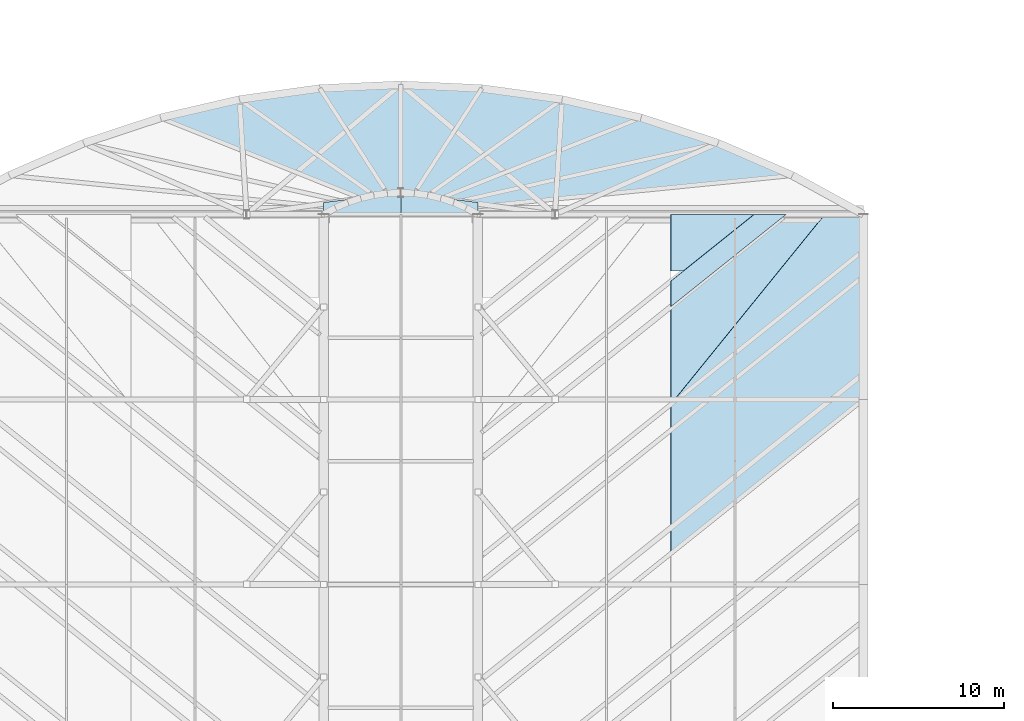
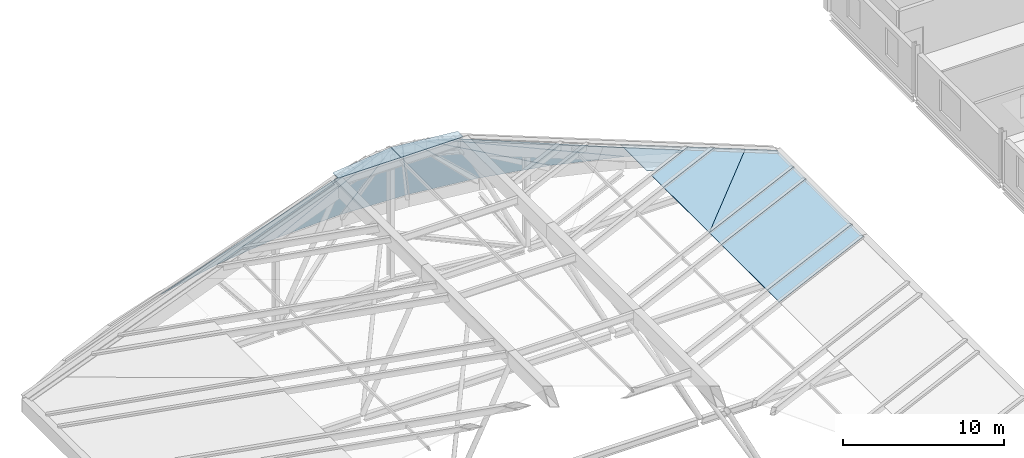
# One storey, part 69 of 110: 17 plates.
"""IFC4 building model written with IfcOpenShell, lengths in metres."""

from ifc_helpers import new_model, si_unit, direction, frame, origin, place, context, subcontext, project, spatial, polyline, outline, extrude, material, layer, layer_set, type_object, element, save


model = new_model("IFC4")

# Units and contexts
model_context = context("Model", 3, precision=1e-05, world=origin(), true_north=direction((0.0, 1.0)))
body_context = subcontext(model_context, "Body", "Model", "MODEL_VIEW")
ifc_project = project(units=[si_unit("LENGTHUNIT", "METRE"), si_unit("AREAUNIT", "SQUARE_METRE"), si_unit("VOLUMEUNIT", "CUBIC_METRE"), si_unit("PLANEANGLEUNIT", "RADIAN"), si_unit("MASSUNIT", "GRAM", prefix="KILO")], contexts=[model_context])

# Site, building, storey
site_placement = place(None, origin())
site = spatial("IfcSite", under=ifc_project, at=site_placement, CompositionType="ELEMENT")
building_placement = place(site_placement, origin())
building = spatial("IfcBuilding", under=site, at=building_placement, Name="Tamarisk Ironworks Central Station", CompositionType="ELEMENT")
storey_placement = place(building_placement, frame((0.0, 0.0, 17.39990234375)))
storey = spatial("IfcBuildingStorey", under=building, at=storey_placement, Name="L03", CompositionType="ELEMENT", Elevation=17.39990234375)

# Plates
ifc_material = material(Name="Laminated solar-control low-E glass", Category="glass")
ifc_layer_1 = layer(ifc_material, 0.031982421875)
ifc_layer_set_1 = layer_set([ifc_layer_1], Name="Laminated solar-control low-E glass")
plate_type_1 = type_object("IfcPlateType", Name="PL-RG32", PredefinedType="USERDEFINED", material=ifc_layer_set_1)
plate_1_placement = place(storey_placement, frame((107.99609375, 100.80078125, -0.6982421875), z_axis=(0.36422776346, 0.0, 0.931309903483), x_axis=(0.0, 1.0, 0.0)))
element("IfcPlate", 1, at=plate_1_placement, inside=storey, type_object=plate_type_1, Name="Concourse fitted 4-vertex fishbone roof glass panel 0152", ObjectType="ROOF GLAZING PANEL", PredefinedType="USERDEFINED", context=body_context, shape_type="SweptSolid", body=[
    extrude(outline(polyline([(0.0, 0.0), (1.491943359375, 0.0), (-7.50146484375, 12.071371149346135), (-8.99365234375, 12.071371149346135), (0.0, 0.0)])), origin(), (0.0, 0.0, -1.0), 0.031982421875),
])
plate_2_placement = place(storey_placement, frame((107.99609375, 102.30078125, -0.6982421875), z_axis=(0.36422776346, 0.0, 0.931309903483), x_axis=(0.0, 1.0, 0.0)))
element("IfcPlate", 2, at=plate_2_placement, inside=storey, type_object=plate_type_1, Name="Concourse fitted 4-vertex fishbone roof glass panel 0153", ObjectType="ROOF GLAZING PANEL", PredefinedType="USERDEFINED", context=body_context, shape_type="SweptSolid", body=[
    extrude(outline(polyline([(0.0, 0.0), (5.692138671875, 0.0), (-3.301513671875, 12.071371149346135), (-8.99365234375, 12.071371149346135), (0.0, 0.0)])), origin(), (0.0, 0.0, -1.0), 0.031982421875),
])
plate_3_placement = place(storey_placement, frame((107.99609375, 108.000732421875, -0.6982421875), z_axis=(0.36422776346, 0.0, 0.931309903483), x_axis=(0.0, 1.0, 0.0)))
element("IfcPlate", 3, at=plate_3_placement, inside=storey, type_object=plate_type_1, Name="Concourse fitted 4-vertex fishbone roof glass panel 0154", ObjectType="ROOF GLAZING PANEL", PredefinedType="USERDEFINED", context=body_context, shape_type="SweptSolid", body=[
    extrude(outline(polyline([(0.0, 0.0), (1.4921875, 0.0), (-7.50146484375, 12.071371149346136), (-8.99365234375, 12.071371149346136), (0.0, 0.0)])), origin(), (0.0, 0.0, -1.0), 0.031982421875),
])
plate_4_placement = place(storey_placement, frame((105.748046875, 111.595947265625, 0.180908203125), z_axis=(0.364227923751, 7.033467e-06, 0.931309840768), x_axis=(-0.931309840791, 1.17e-10, 0.36422792376)))
element("IfcPlate", 4, at=plate_4_placement, inside=storey, type_object=plate_type_1, Name="Concourse fitted 4-vertex fishbone roof glass panel 0155", ObjectType="ROOF GLAZING PANEL", PredefinedType="USERDEFINED", context=body_context, shape_type="SweptSolid", body=[
    extrude(outline(polyline([(0.0, 0.0), (2.4138392986962733, 0.0), (9.657531850020126, 5.396728516885094), (9.657531849356104, 11.088867188619298), (0.0, 0.0)])), origin(), (0.0, 0.0, -1.0), 0.031982421875),
])
plate_5_placement = place(storey_placement, frame((107.99609375, 109.500732421875, -0.6982421875), z_axis=(0.364219903819, 9.187056e-06, 0.931312977241), x_axis=(-3.346109e-06, 0.999999999958, -8.556025e-06)))
element("IfcPlate", 5, at=plate_5_placement, inside=storey, type_object=plate_type_1, Name="Concourse fitted 4-vertex fishbone roof glass panel 0156", ObjectType="ROOF GLAZING PANEL", PredefinedType="USERDEFINED", context=body_context, shape_type="SweptSolid", body=[
    extrude(outline(polyline([(0.0, 0.0), (2.0952148436615796, 0.0), (2.09521484383842, 2.413839298951535), (-8.993652344306382, 12.071371148916263), (0.0, 0.0)])), origin(), (0.0, 0.0, -1.0), 0.031982421875),
])
plate_6_placement = place(storey_placement, frame((103.489990234375, 111.595947265625, 1.06396484375), z_axis=(0.364254196941, -3.032052e-05, 0.931299564636), x_axis=(-0.931299565064, 6.85e-10, 0.364254197109)))
element("IfcPlate", 6, at=plate_6_placement, inside=storey, type_object=plate_type_1, Name="Concourse fitted 4-vertex fishbone roof glass panel 0157", ObjectType="ROOF GLAZING PANEL", PredefinedType="USERDEFINED", context=body_context, shape_type="SweptSolid", body=[
    extrude(outline(polyline([(0.0, 0.0), (2.002585185177228, -3.3881317890172014e-21), (7.232947590271823, 3.8967285223701285), (7.232947589249973, 5.388671881059331), (0.0, 0.0)])), origin(), (0.0, 0.0, -1.0), 0.031982421875),
])
plate_7_placement = place(storey_placement, frame((97.483154296875, 108.29052734375, 3.413330078125), z_axis=(0.364219917203, 1.1178182e-05, 0.931312971985), x_axis=(0.746824174768, 0.597448568374, -0.292076805189)))
element("IfcPlate", 7, at=plate_7_placement, inside=storey, type_object=plate_type_1, Name="Concourse fitted 4-vertex fishbone roof glass panel 0158", ObjectType="ROOF GLAZING PANEL", PredefinedType="USERDEFINED", context=body_context, shape_type="SweptSolid", body=[
    extrude(outline(polyline([(0.0, 0.0), (5.532559783823569, -4.996003610813204e-16), (1.3469108029099202, 3.118452973786482), (-0.6279075972886365, 0.4678128351029698), (0.0, 0.0)])), origin(), (0.0, 0.0, -1.0), 0.031982421875),
])
plate_8_placement = place(storey_placement, frame((78.66357421875, 112.538818359375, 8.10009765625), z_axis=(-0.174482986429, 0.753651502777, 0.633691644105), x_axis=(0.974207320339, 0.225654780727, -0.000130129458)))
element("IfcPlate", 8, at=plate_8_placement, inside=storey, type_object=plate_type_1, Name="NORTH rounded entrance hall trapezoidal glass panel 04", ObjectType="ROOF GLAZING PANEL", PredefinedType="USERDEFINED", context=body_context, shape_type="SweptSolid", body=[
    extrude(outline(polyline([(0.0, 0.0), (0.7881797748083432, 1.3877787807814457e-17), (-5.590744100282818, 11.376601190506772), (-10.320736509557209, 11.377529435080024), (0.0, 0.0)])), origin(), (0.0, 0.0, -1.0), 0.031982421875),
])
plate_9_placement = place(storey_placement, frame((79.431396484375, 112.716796875, 8.10009765625), z_axis=(-0.108847779242, 0.79262421879, 0.599915834714), x_axis=(0.990706696157, 0.13601558796, 4.4963985e-05)))
element("IfcPlate", 9, at=plate_9_placement, inside=storey, type_object=plate_type_1, Name="NORTH rounded entrance hall trapezoidal glass panel 05", ObjectType="ROOF GLAZING PANEL", PredefinedType="USERDEFINED", context=body_context, shape_type="SweptSolid", body=[
    extrude(outline(polyline([(0.0, 0.0), (0.7883255771778291, 0.0), (-2.280579593490696, 10.99906508696099), (-7.010357598666987, 10.998754966520789), (0.0, 0.0)])), origin(), (0.0, 0.0, -1.0), 0.031982421875),
])
plate_10_placement = place(storey_placement, frame((80.21240234375, 112.823974609375, 8.10009765625), z_axis=(-0.036994922979, 0.812592763492, 0.58165657943), x_axis=(0.998964635389, 0.045493481744, -1.9004868e-05)))
element("IfcPlate", 10, at=plate_10_placement, inside=storey, type_object=plate_type_1, Name="NORTH rounded entrance hall trapezoidal glass panel 06", ObjectType="ROOF GLAZING PANEL", PredefinedType="USERDEFINED", context=body_context, shape_type="SweptSolid", body=[
    extrude(outline(polyline([(0.0, 0.0), (0.7884149061476736, 0.0), (1.0751488790327384, 10.818361909877122), (-3.654841675345364, 10.818490840442873), (0.0, 0.0)])), origin(), (0.0, 0.0, -1.0), 0.031982421875),
])
plate_11_placement = place(storey_placement, frame((81.0, 112.85986328125, 8.10009765625), z_axis=(0.036994922979, 0.812592763492, 0.58165657943), x_axis=(0.998964635389, -0.045493481744, 1.9004868e-05)))
element("IfcPlate", 11, at=plate_11_placement, inside=storey, type_object=plate_type_1, Name="NORTH rounded entrance hall trapezoidal glass panel 07", ObjectType="ROOF GLAZING PANEL", PredefinedType="USERDEFINED", context=body_context, shape_type="SweptSolid", body=[
    extrude(outline(polyline([(0.0, 0.0), (0.7884149061476736, 0.0), (4.443256581493037, 10.818490840442873), (-0.2867339728850648, 10.818361909877122), (0.0, 0.0)])), origin(), (0.0, 0.0, -1.0), 0.031982421875),
])
plate_12_placement = place(storey_placement, frame((81.78759765625, 112.823974609375, 8.10009765625), z_axis=(0.108847779242, 0.79262421879, 0.599915834714), x_axis=(0.990706696157, -0.13601558796, -4.4963985e-05)))
element("IfcPlate", 12, at=plate_12_placement, inside=storey, type_object=plate_type_1, Name="NORTH rounded entrance hall trapezoidal glass panel 08", ObjectType="ROOF GLAZING PANEL", PredefinedType="USERDEFINED", context=body_context, shape_type="SweptSolid", body=[
    extrude(outline(polyline([(0.0, 0.0), (0.7883255771778291, 0.0), (7.7986831758448165, 10.998754966520789), (3.068905170668525, 10.99906508696099), (0.0, 0.0)])), origin(), (0.0, 0.0, -1.0), 0.031982421875),
])
plate_13_placement = place(storey_placement, frame((82.568603515625, 112.716796875, 8.10009765625), z_axis=(0.174482986429, 0.753651502777, 0.633691644105), x_axis=(0.974207320339, -0.225654780727, 0.000130129458)))
element("IfcPlate", 13, at=plate_13_placement, inside=storey, type_object=plate_type_1, Name="NORTH rounded entrance hall trapezoidal glass panel 09", ObjectType="ROOF GLAZING PANEL", PredefinedType="USERDEFINED", context=body_context, shape_type="SweptSolid", body=[
    extrude(outline(polyline([(0.0, 0.0), (0.7881797748083432, -1.3877787807814457e-17), (11.10891628436555, 11.377529435080024), (6.378923875091162, 11.376601190506772), (0.0, 0.0)])), origin(), (0.0, 0.0, -1.0), 0.031982421875),
])
plate_14_placement = place(storey_placement, frame((83.33642578125, 112.538818359375, 8.10009765625), z_axis=(0.230148530023, 0.698120459801, 0.677981915493), x_axis=(0.949726201919, -0.313081684545, -1.3805275e-05)))
element("IfcPlate", 14, at=plate_14_placement, inside=storey, type_object=plate_type_1, Name="NORTH rounded entrance hall trapezoidal glass panel 10", ObjectType="ROOF GLAZING PANEL", PredefinedType="USERDEFINED", context=body_context, shape_type="SweptSolid", body=[
    extrude(outline(polyline([(0.0, 0.0), (0.7884120713772458, 0.0), (14.355554356772192, 11.97130600497725), (9.625545662005749, 11.971409644665945), (0.0, 0.0)])), origin(), (0.0, 0.0, -1.0), 0.031982421875),
])
plate_15_placement = place(storey_placement, frame((84.085205078125, 112.2919921875, 8.10009765625), z_axis=(0.273377416592, 0.629940804137, 0.726938354595), x_axis=(0.917366965282, -0.39804251948, -6.0784018e-05)))
element("IfcPlate", 15, at=plate_15_placement, inside=storey, type_object=plate_type_1, Name="NORTH rounded entrance hall trapezoidal glass panel 11", ObjectType="ROOF GLAZING PANEL", PredefinedType="USERDEFINED", context=body_context, shape_type="SweptSolid", body=[
    extrude(outline(polyline([(0.0, 0.0), (0.7882630831782398, -8.326672684688674e-17), (17.504227931492245, 12.813382853131323), (12.77435789737436, 12.813871294915465), (0.0, 0.0)])), origin(), (0.0, 0.0, -1.0), 0.031982421875),
])
ifc_layer_2 = layer(ifc_material, 0.035888671875)
ifc_layer_set_2 = layer_set([ifc_layer_2], Name="Laminated solar-control low-E glass")
plate_type_2 = type_object("IfcPlateType", Name="PL-RG36", PredefinedType="USERDEFINED", material=ifc_layer_set_2)
plate_16_placement = place(storey_placement, frame((0.0, 0.0, 8.1640625)))
element("IfcPlate", 16, at=plate_16_placement, inside=storey, type_object=plate_type_2, Name="NORTH rounded entrance hall crown lunette glass W", ObjectType="ROOF GLAZING PANEL", PredefinedType="USERDEFINED", context=body_context, shape_type="SweptSolid", body=[
    extrude(outline(polyline([(76.5, 111.60009765625), (80.99609375, 111.60009765625), (80.99609375, 112.85986328125), (76.5, 112.2919921875), (76.5, 111.60009765625)])), origin(), (0.0, 0.0, 1.0), 0.0361328125),
])
plate_17_placement = place(storey_placement, frame((0.0, 0.0, 8.1640625)))
element("IfcPlate", 17, at=plate_17_placement, inside=storey, type_object=plate_type_2, Name="NORTH rounded entrance hall crown lunette glass E", ObjectType="ROOF GLAZING PANEL", PredefinedType="USERDEFINED", context=body_context, shape_type="SweptSolid", body=[
    extrude(outline(polyline([(81.00390625, 111.60009765625), (85.5, 111.60009765625), (85.5, 112.2919921875), (81.00390625, 112.85986328125), (81.00390625, 111.60009765625)])), origin(), (0.0, 0.0, 1.0), 0.0361328125),
])

save(model, "model.ifc")
